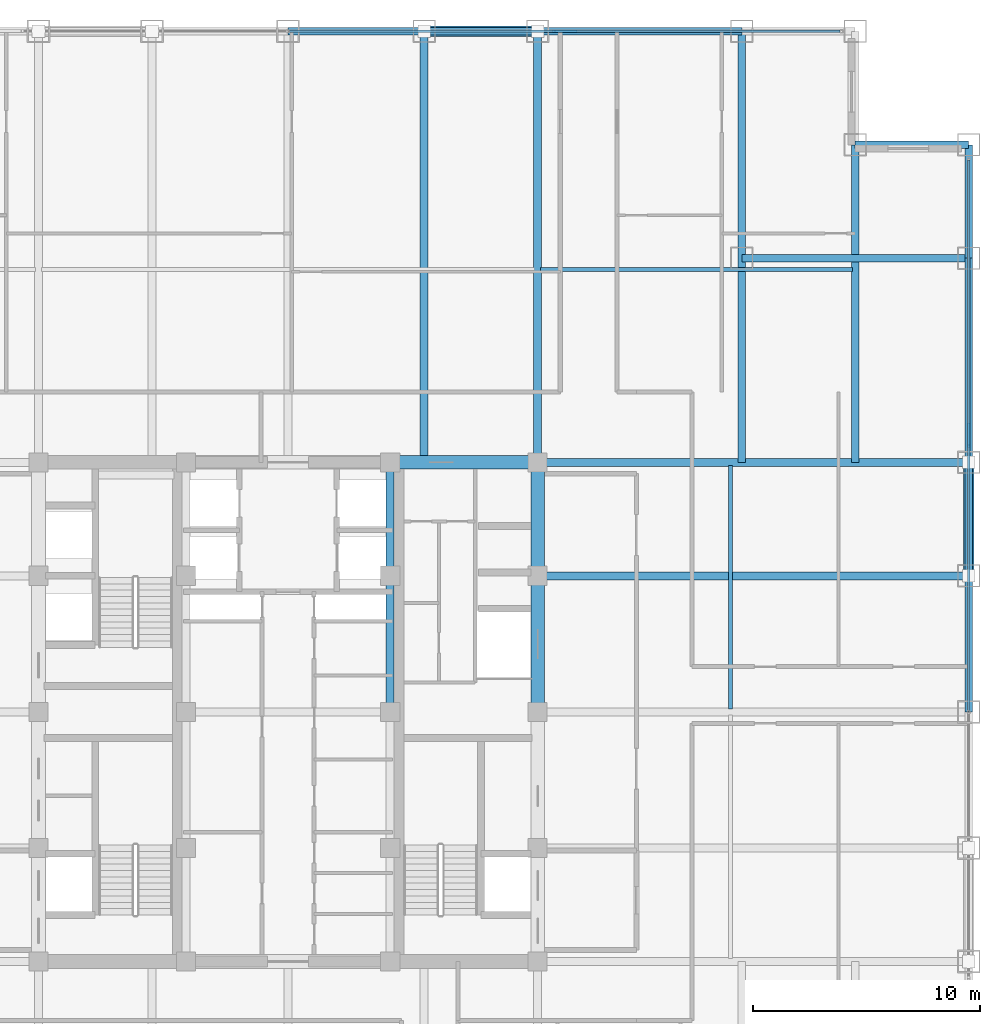
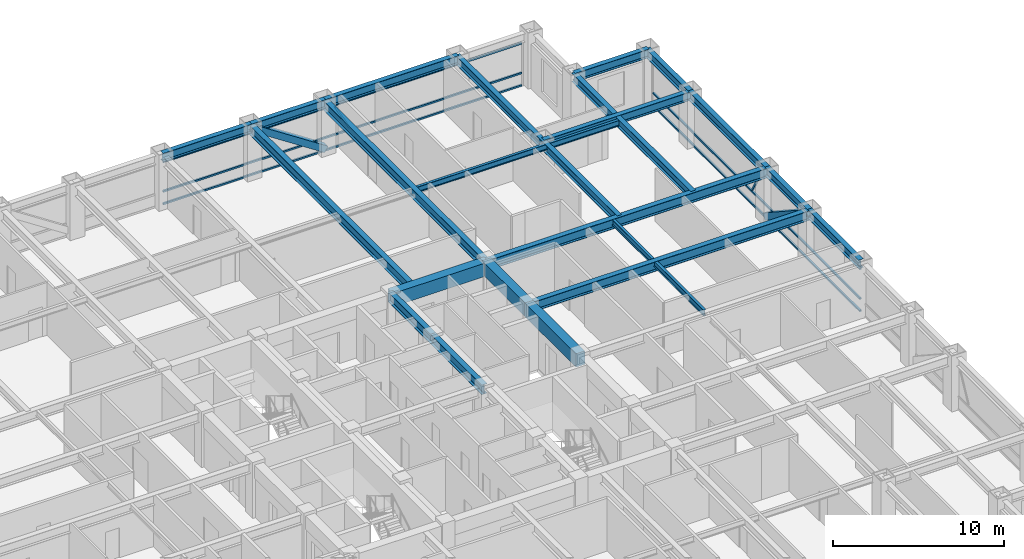
# One storey, part 17 of 25: 22 beams, 10 members, 2 elements without a shape of their own.
"""IFC4 building model written with IfcOpenShell, lengths in metres."""

from ifc_helpers import new_model, si_unit, direction, frame, origin, origin_2d, place, context, subcontext, project, spatial, rectangle, hollow_rectangle, i_section, extrude, source, transform, mapped, material, material_profile, profile_set, type_object, element, aggregate, save


model = new_model("IFC4")

# Units and contexts
model_context = context("Model", 3, precision=1e-05, world=origin(), true_north=direction((0.0, 1.0)))
body_context = subcontext(model_context, "Body", "Model", "MODEL_VIEW")
ifc_project = project(units=[si_unit("LENGTHUNIT", "METRE"), si_unit("AREAUNIT", "SQUARE_METRE"), si_unit("VOLUMEUNIT", "CUBIC_METRE"), si_unit("PLANEANGLEUNIT", "RADIAN"), si_unit("MASSUNIT", "GRAM", prefix="KILO")], contexts=[model_context])

# Site, building, storey
site_placement = place(None, origin())
site = spatial("IfcSite", under=ifc_project, at=site_placement, CompositionType="ELEMENT")
building_placement = place(site_placement, origin())
building = spatial("IfcBuilding", under=site, at=building_placement, Name="Khorayat Bourse Tower", CompositionType="ELEMENT")
storey_placement = place(building_placement, frame((0.0, 0.0, 231.10009765625)))
storey = spatial("IfcBuildingStorey", under=building, at=storey_placement, Name="L54", CompositionType="ELEMENT", Elevation=231.10009765625)

# Beams
ifc_material_1 = material(Name="Steel ASTM A992 Grade 50", Category="steel")
ifc_material_profile_1 = material_profile(ifc_material_1, i_section(OverallWidth=0.35498046875, OverallDepth=0.695068359375, WebThickness=0.015380859375, FlangeThickness=0.02490234375, FilletRadius=0.01806640625, at=origin_2d()), Name="W690X217")
ifc_profile_set_1 = profile_set([ifc_material_profile_1], Name="Steel ASTM A992 Grade 50")
beam_type_1 = type_object("IfcBeamType", Name="BM-GIRD-690", PredefinedType="BEAM", material=ifc_profile_set_1)
shared_shape_1 = source(origin(), body_context, "Body", "SweptSolid", [
    extrude(i_section(OverallWidth=0.35498046875, OverallDepth=0.695068359375, WebThickness=0.015380859375, FlangeThickness=0.02490234375, FilletRadius=0.01806640625, at=origin_2d()), origin(), (0.0, 0.0, 1.0), 5.0),
])
beam_1_placement = place(storey_placement, frame((4.5, 6.0, 3.432373046875), z_axis=(0.0, 1.0, 0.0), x_axis=(-1.0, 0.0, 0.0)))
element("IfcBeam", 1, at=beam_1_placement, inside=storey, type_object=beam_type_1, Name="L54 BM-GIRD-690 BM-L54-CRX-12", PredefinedType="BEAM", context=body_context, shape_type="MappedRepresentation", body=[
    mapped(shared_shape_1, transform((0.0, 0.0, 0.0), scale=1.0)),
])
shared_shape_2 = source(origin(), body_context, "Body", "SweptSolid", [
    extrude(i_section(OverallWidth=0.35498046875, OverallDepth=0.695068359375, WebThickness=0.015380859375, FlangeThickness=0.02490234375, FilletRadius=0.01806640625, at=origin_2d()), origin(), (0.0, 0.0, 1.0), 6.0),
])
beam_2_placement = place(storey_placement, frame((4.5, 0.0, 3.432373046875), z_axis=(0.0, 1.0, 0.0), x_axis=(-1.0, 0.0, 0.0)))
element("IfcBeam", 2, at=beam_2_placement, inside=storey, type_object=beam_type_1, Name="L54 BM-GIRD-690 BM-L54-CRX-11", PredefinedType="BEAM", context=body_context, shape_type="MappedRepresentation", body=[
    mapped(shared_shape_2, transform((0.0, 0.0, 0.0), scale=1.0)),
])
ifc_material_profile_2 = material_profile(ifc_material_1, i_section(OverallWidth=0.324951171875, OverallDepth=0.615966796875, WebThickness=0.013916015625, FlangeThickness=0.021484375, FilletRadius=0.01611328125, at=origin_2d()), Name="W610X174")
ifc_profile_set_2 = profile_set([ifc_material_profile_2], Name="Steel ASTM A992 Grade 50")
beam_type_2 = type_object("IfcBeamType", Name="BM-GIRD-610", PredefinedType="BEAM", material=ifc_profile_set_2)
shared_shape_3 = source(origin(), body_context, "Body", "SweptSolid", [
    extrude(i_section(OverallWidth=0.324951171875, OverallDepth=0.615966796875, WebThickness=0.013916015625, FlangeThickness=0.021484375, FilletRadius=0.01611328125, at=origin_2d()), origin(), (0.0, 0.0, 1.0), 19.0),
])
beam_3_placement = place(storey_placement, frame((20.0, 11.0, 3.471923828125), z_axis=(0.0, 1.0, 0.0), x_axis=(-1.0, 0.0, 0.0)))
element("IfcBeam", 3, at=beam_3_placement, inside=storey, type_object=beam_type_2, Name="L54 BM-GIRD-610 BM-L54-CNRY-087", PredefinedType="BEAM", context=body_context, shape_type="MappedRepresentation", body=[
    mapped(shared_shape_3, transform((0.0, 0.0, 0.0), scale=1.0)),
])
shared_shape_4 = source(origin(), body_context, "Body", "SweptSolid", [
    extrude(i_section(OverallWidth=0.324951171875, OverallDepth=0.615966796875, WebThickness=0.013916015625, FlangeThickness=0.021484375, FilletRadius=0.01611328125, at=origin_2d()), origin(), (0.0, 0.0, 1.0), 10.0),
])
beam_4_placement = place(storey_placement, frame((20.0, 20.0, 3.471923828125), z_axis=(1.0, 0.0, 0.0), x_axis=(0.0, 1.0, 0.0)))
element("IfcBeam", 4, at=beam_4_placement, inside=storey, type_object=beam_type_2, Name="L54 BM-GIRD-610 BM-L54-CNRX-094", PredefinedType="BEAM", context=body_context, shape_type="MappedRepresentation", body=[
    mapped(shared_shape_4, transform((0.0, 0.0, 0.0), scale=1.0)),
])
ifc_material_profile_3 = material_profile(ifc_material_1, i_section(OverallWidth=0.180908203125, OverallDepth=0.4169921875, WebThickness=0.010986328125, FlangeThickness=0.018310546875, FilletRadius=0.011962890625, at=origin_2d()), Name="W410X85")
ifc_profile_set_3 = profile_set([ifc_material_profile_3], Name="Steel ASTM A992 Grade 50")
beam_type_3 = type_object("IfcBeamType", Name="BM-JOIST-410", PredefinedType="JOIST", material=ifc_profile_set_3)
shared_shape_5 = source(origin(), body_context, "Body", "SweptSolid", [
    extrude(i_section(OverallWidth=0.180908203125, OverallDepth=0.4169921875, WebThickness=0.010986328125, FlangeThickness=0.018310546875, FilletRadius=0.011962890625, at=origin_2d()), origin(), (0.0, 0.0, 1.0), 10.740234375),
])
beam_5_placement = place(storey_placement, frame((19.5, 0.1298828125, 3.5712890625), z_axis=(0.0, 1.0, 0.0), x_axis=(-1.0, 0.0, 0.0)))
element("IfcBeam", 5, at=beam_5_placement, inside=storey, type_object=beam_type_3, Name="L54 BM-JOIST-410 BM-L54-JSTY-105", PredefinedType="JOIST", context=body_context, shape_type="MappedRepresentation", body=[
    mapped(shared_shape_5, transform((0.0, 0.0, 0.0), scale=1.0)),
])
ifc_material_profile_4 = material_profile(ifc_material_1, i_section(OverallWidth=0.324951171875, OverallDepth=0.615966796875, WebThickness=0.013916015625, FlangeThickness=0.021484375, FilletRadius=0.01611328125, at=origin_2d()), Name="W610X174")
ifc_profile_set_4 = profile_set([ifc_material_profile_4], Name="Steel ASTM A992 Grade 50")
beam_type_4 = type_object("IfcBeamType", Name="BM-SPAN-610", PredefinedType="SPANDREL", material=ifc_profile_set_4)
shared_shape_6 = source(origin(), body_context, "Body", "SweptSolid", [
    extrude(i_section(OverallWidth=0.324951171875, OverallDepth=0.615966796875, WebThickness=0.013916015625, FlangeThickness=0.021484375, FilletRadius=0.01611328125, at=origin_2d()), origin(), (0.0, 0.0, 1.0), 9.0),
])
for number, where, z_axis, x_axis, name in (
    (6, (30.0, 11.0, 3.471923828125), (0.0, 1.0, 0.0), (-1.0, 0.0, 0.0), "L54 BM-SPAN-610 BM-L54-SPN-040"),
    (7, (11.0, 30.0, 3.471923828125), (1.0, 0.0, 0.0), (0.0, 1.0, 0.0), "L54 BM-SPAN-610 BM-L54-SPN-045"),
):
    element("IfcBeam", number, at=place(storey_placement, frame(where, z_axis=z_axis, x_axis=x_axis)), inside=storey, type_object=beam_type_4, Name=name, PredefinedType="SPANDREL", context=body_context, shape_type="MappedRepresentation", body=[
        mapped(shared_shape_6, transform((0.0, 0.0, 0.0), scale=1.0)),
    ])
shared_shape_7 = source(origin(), body_context, "Body", "SweptSolid", [
    extrude(i_section(OverallWidth=0.324951171875, OverallDepth=0.615966796875, WebThickness=0.013916015625, FlangeThickness=0.021484375, FilletRadius=0.01611328125, at=origin_2d()), origin(), (0.0, 0.0, 1.0), 5.0),
])
for number, where, z_axis, x_axis, name in (
    (8, (30.0, 6.0, 3.471923828125), (0.0, 1.0, 0.0), (-1.0, 0.0, 0.0), "L54 BM-SPAN-610 BM-L54-SPN-039"),
    (9, (30.0, 20.0, 3.471923828125), (0.0, 1.0, 0.0), (-1.0, 0.0, 0.0), "L54 BM-SPAN-610 BM-L54-SPN-041"),
    (10, (25.0, 25.0, 3.471923828125), (1.0, 0.0, 0.0), (0.0, 1.0, 0.0), "L54 BM-SPAN-610 BM-L54-SPN-042"),
    (11, (6.0, 30.0, 3.471923828125), (1.0, 0.0, 0.0), (0.0, 1.0, 0.0), "L54 BM-SPAN-610 BM-L54-SPN-046"),
):
    element("IfcBeam", number, at=place(storey_placement, frame(where, z_axis=z_axis, x_axis=x_axis)), inside=storey, type_object=beam_type_4, Name=name, PredefinedType="SPANDREL", context=body_context, shape_type="MappedRepresentation", body=[
        mapped(shared_shape_7, transform((0.0, 0.0, 0.0), scale=1.0)),
    ])
shared_shape_8 = source(origin(), body_context, "Body", "SweptSolid", [
    extrude(i_section(OverallWidth=0.324951171875, OverallDepth=0.615966796875, WebThickness=0.013916015625, FlangeThickness=0.021484375, FilletRadius=0.01611328125, at=origin_2d()), origin(), (0.0, 0.0, 1.0), 6.0),
])
for number, where, z_axis, x_axis, name in (
    (12, (30.0, 0.0, 3.471923828125), (0.0, 1.0, 0.0), (-1.0, 0.0, 0.0), "L54 BM-SPAN-610 BM-L54-SPN-038"),
    (13, (0.0, 30.0, 3.471923828125), (1.0, 0.0, 0.0), (0.0, 1.0, 0.0), "L54 BM-SPAN-610 BM-L54-SPN-047"),
):
    element("IfcBeam", number, at=place(storey_placement, frame(where, z_axis=z_axis, x_axis=x_axis)), inside=storey, type_object=beam_type_4, Name=name, PredefinedType="SPANDREL", context=body_context, shape_type="MappedRepresentation", body=[
        mapped(shared_shape_8, transform((0.0, 0.0, 0.0), scale=1.0)),
    ])
ifc_material_2 = material(Name="Concrete C60/75", Category="concrete")
ifc_material_profile_5 = material_profile(ifc_material_2, rectangle(XDim=0.60009765625, YDim=0.949951171875, at=origin_2d()), Name="RC 600x950")
ifc_profile_set_5 = profile_set([ifc_material_profile_5], Name="Concrete C60/75")
beam_type_5 = type_object("IfcBeamType", Name="BM-COUP-950", PredefinedType="BEAM", material=ifc_profile_set_5)
shared_shape_9 = source(origin(), body_context, "Body", "SweptSolid", [
    extrude(rectangle(XDim=0.60009765625, YDim=0.949951171875, at=origin_2d()), origin(), (0.0, 0.0, 1.0), 5.0),
])
beam_6_placement = place(storey_placement, frame((11.0, 6.0, 3.304931640625), z_axis=(0.0, 1.0, 0.0), x_axis=(-1.0, 0.0, 0.0)))
element("IfcBeam", 14, at=beam_6_placement, inside=storey, type_object=beam_type_5, Name="L54 BM-COUP-950 BM-L54-CRX-16", PredefinedType="BEAM", context=body_context, shape_type="MappedRepresentation", body=[
    mapped(shared_shape_9, transform((0.0, 0.0, 0.0), scale=1.0)),
])
shared_shape_10 = source(origin(), body_context, "Body", "SweptSolid", [
    extrude(rectangle(XDim=0.60009765625, YDim=0.949951171875, at=origin_2d()), origin(), (0.0, 0.0, 1.0), 6.0),
])
beam_7_placement = place(storey_placement, frame((11.0, 0.0, 3.304931640625), z_axis=(0.0, 1.0, 0.0), x_axis=(-1.0, 0.0, 0.0)))
element("IfcBeam", 15, at=beam_7_placement, inside=storey, type_object=beam_type_5, Name="L54 BM-COUP-950 BM-L54-CRX-15", PredefinedType="BEAM", context=body_context, shape_type="MappedRepresentation", body=[
    mapped(shared_shape_10, transform((0.0, 0.0, 0.0), scale=1.0)),
])
shared_shape_11 = source(origin(), body_context, "Body", "SweptSolid", [
    extrude(rectangle(XDim=0.60009765625, YDim=0.949951171875, at=origin_2d()), origin(), (0.0, 0.0, 1.0), 6.5),
])
beam_8_placement = place(storey_placement, frame((4.5, 11.0, 3.304931640625), z_axis=(1.0, 0.0, 0.0), x_axis=(0.0, 1.0, 0.0)))
element("IfcBeam", 16, at=beam_8_placement, inside=storey, type_object=beam_type_5, Name="L54 BM-COUP-950 BM-L54-CRY-22", PredefinedType="BEAM", context=body_context, shape_type="MappedRepresentation", body=[
    mapped(shared_shape_11, transform((0.0, 0.0, 0.0), scale=1.0)),
])
shared_shape_12 = source(origin(), body_context, "Body", "SweptSolid", [
    extrude(i_section(OverallWidth=0.35498046875, OverallDepth=0.695068359375, WebThickness=0.015380859375, FlangeThickness=0.02490234375, FilletRadius=0.01806640625, at=origin_2d()), origin(), (0.0, 0.0, 1.0), 19.0),
])
for number, where, z_axis, x_axis, name in (
    (17, (6.0, 11.0, 3.432373046875), (0.0, 1.0, 0.0), (-1.0, 0.0, 0.0), "L54 BM-GIRD-690 BM-L54-RADY-070"),
    (18, (11.0, 11.0, 3.432373046875), (0.0, 1.0, 0.0), (-1.0, 0.0, 0.0), "L54 BM-GIRD-690 BM-L54-RADY-072"),
    (19, (11.0, 6.0, 3.432373046875), (1.0, 0.0, 0.0), (0.0, 1.0, 0.0), "L54 BM-GIRD-690 BM-L54-RADX-080"),
    (20, (11.0, 11.0, 3.432373046875), (1.0, 0.0, 0.0), (0.0, 1.0, 0.0), "L54 BM-GIRD-690 BM-L54-RADX-082"),
):
    element("IfcBeam", number, at=place(storey_placement, frame(where, z_axis=z_axis, x_axis=x_axis)), inside=storey, type_object=beam_type_1, Name=name, PredefinedType="BEAM", context=body_context, shape_type="MappedRepresentation", body=[
        mapped(shared_shape_12, transform((0.0, 0.0, 0.0), scale=1.0)),
    ])
shared_shape_13 = source(origin(), body_context, "Body", "SweptSolid", [
    extrude(i_section(OverallWidth=0.324951171875, OverallDepth=0.615966796875, WebThickness=0.013916015625, FlangeThickness=0.021484375, FilletRadius=0.01611328125, at=origin_2d()), origin(), (0.0, 0.0, 1.0), 14.0),
])
beam_9_placement = place(storey_placement, frame((25.0, 11.0, 3.471923828125), z_axis=(0.0, 1.0, 0.0), x_axis=(-1.0, 0.0, 0.0)))
element("IfcBeam", 21, at=beam_9_placement, inside=storey, type_object=beam_type_2, Name="L54 BM-GIRD-610 BM-L54-CNRY-091", PredefinedType="BEAM", context=body_context, shape_type="MappedRepresentation", body=[
    mapped(shared_shape_13, transform((0.0, 0.0, 0.0), scale=1.0)),
])
shared_shape_14 = source(origin(), body_context, "Body", "SweptSolid", [
    extrude(i_section(OverallWidth=0.180908203125, OverallDepth=0.4169921875, WebThickness=0.010986328125, FlangeThickness=0.018310546875, FilletRadius=0.011962890625, at=origin_2d()), origin(), (0.0, 0.0, 1.0), 13.740234375),
])
beam_10_placement = place(storey_placement, frame((11.1298828125, 19.5, 3.5712890625), z_axis=(1.0, 0.0, 0.0), x_axis=(0.0, 1.0, 0.0)))
element("IfcBeam", 22, at=beam_10_placement, inside=storey, type_object=beam_type_3, Name="L54 BM-JOIST-410 BM-L54-JSTX-101", PredefinedType="JOIST", context=body_context, shape_type="MappedRepresentation", body=[
    mapped(shared_shape_14, transform((0.0, 0.0, 0.0), scale=1.0)),
])

# Members
ifc_material_3 = material(Name="Steel EN 10025-4 S460M", Category="steel")
ifc_material_profile_6 = material_profile(ifc_material_3, hollow_rectangle(XDim=0.449951171875, YDim=0.449951171875, WallThickness=0.02490234375, at=origin_2d()), Name="HSS 450x450x25")
ifc_profile_set_6 = profile_set([ifc_material_profile_6], Name="Steel EN 10025-4 S460M")
member_type_1 = type_object("IfcMemberType", Name="MBR-TUBE-450", PredefinedType="BRACE", material=ifc_profile_set_6)
shared_shape_15 = source(origin(), body_context, "Body", "SweptSolid", [
    extrude(hollow_rectangle(XDim=0.449951171875, YDim=0.449951171875, WallThickness=0.02490234375, at=origin_2d()), origin(), (0.0, 0.0, 1.0), 5.979736328125),
])
for number, where, z_axis, x_axis, name in (
    (23, (6.0, 30.0, 3.52978515625), (0.836160261256, 0.0, -0.548485202623), (0.0, 1.0, 0.0), "L54 Perimeter Tube Brace 04"),
    (24, (30.0, 6.0, 3.52978515625), (0.0, 0.836160261256, -0.548485202623), (-1.0, 0.0, 0.0), "L54 Perimeter Tube Brace 08"),
):
    element("IfcMember", number, at=place(storey_placement, frame(where, z_axis=z_axis, x_axis=x_axis)), inside=storey, type_object=member_type_1, Name=name, PredefinedType="BRACE", context=body_context, shape_type="MappedRepresentation", body=[
        mapped(shared_shape_15, transform((0.0, 0.0, 0.0), scale=1.0)),
    ])

# Curtain wall, member
ifc_material_4 = material(Name="Aluminium EN AW-6063 T6", Category="aluminium")
curtain_wall_type = type_object("IfcCurtainWallType", Name="CW-SYS-03", PredefinedType="NOTDEFINED", material=ifc_material_4)
curtain_wall_1_placement = place(storey_placement, origin())
curtain_wall_1 = element("IfcCurtainWall", 25, at=curtain_wall_1_placement, inside=storey, type_object=curtain_wall_type, Name="L54 Curtain Wall CW-L54-N1", PredefinedType="NOTDEFINED")
ifc_material_profile_7 = material_profile(ifc_material_4, hollow_rectangle(XDim=0.1201171875, YDim=0.1201171875, WallThickness=0.0048828125, at=origin_2d()), Name="ALU 120x120x5")
ifc_profile_set_7 = profile_set([ifc_material_profile_7], Name="Aluminium EN AW-6063 T6")
member_type_2 = type_object("IfcMemberType", Name="CWM-DIAG-120", PredefinedType="MULLION", material=ifc_profile_set_7)
shared_shape_16 = source(origin(), body_context, "Body", "SweptSolid", [
    extrude(hollow_rectangle(XDim=0.1201171875, YDim=0.1201171875, WallThickness=0.0048828125, at=origin_2d()), origin(), (0.0, 0.0, 1.0), 2.079345703125),
])
member_1_placement = place(storey_placement, frame((12.67919921875, 30.0, 1.08984375), z_axis=(-0.465760949701, 0.0, 0.884910581773), x_axis=(0.0, -1.0, 0.0)))
member_1 = element("IfcMember", 26, at=member_1_placement, type_object=member_type_2, Name="CW-L54-N1 Faceted Diagonal Mullion 2", PredefinedType="MULLION", context=body_context, shape_type="MappedRepresentation", body=[
    mapped(shared_shape_16, transform((0.0, 0.0, 0.0), scale=1.0)),
])

curtain_wall_2_placement = place(storey_placement, origin())
curtain_wall_2 = element("IfcCurtainWall", 27, at=curtain_wall_2_placement, inside=storey, type_object=curtain_wall_type, Name="L54 Curtain Wall CW-L54-E1", PredefinedType="NOTDEFINED")
member_2_placement = place(storey_placement, frame((30.0, 12.67919921875, 1.08984375), z_axis=(0.0, -0.465760949701, 0.884910581773), x_axis=(1.0, 0.0, 0.0)))
member_2 = element("IfcMember", 28, at=member_2_placement, type_object=member_type_2, Name="CW-L54-E1 Faceted Diagonal Mullion 2", PredefinedType="MULLION", context=body_context, shape_type="MappedRepresentation", body=[
    mapped(shared_shape_16, transform((0.0, 0.0, 0.0), scale=1.0)),
])

# Member
ifc_material_profile_8 = material_profile(ifc_material_4, hollow_rectangle(XDim=0.1201171875, YDim=0.1201171875, WallThickness=0.0048828125, at=origin_2d()), Name="ALU 120x120x5")
ifc_profile_set_8 = profile_set([ifc_material_profile_8], Name="Aluminium EN AW-6063 T6")
member_type_3 = type_object("IfcMemberType", Name="CWT-HORZ-120", PredefinedType="USERDEFINED", material=ifc_profile_set_8)
shared_shape_17 = source(origin(), body_context, "Body", "SweptSolid", [
    extrude(hollow_rectangle(XDim=0.1201171875, YDim=0.1201171875, WallThickness=0.0048828125, at=origin_2d()), origin(), (0.0, 0.0, 1.0), 24.27001953125),
])
member_3_placement = place(storey_placement, frame((0.06005859375, 30.0, 0.059814453125), z_axis=(1.0, 0.0, 0.0), x_axis=(0.0, 1.0, 0.0)))
member_3 = element("IfcMember", 29, at=member_3_placement, type_object=member_type_3, Name="CW-L54-N1 Horizontal Transom 2-1", ObjectType="TRANSOM", PredefinedType="USERDEFINED", context=body_context, shape_type="MappedRepresentation", body=[
    mapped(shared_shape_17, transform((0.0, 0.0, 0.0), scale=1.0)),
])

member_4_placement = place(storey_placement, frame((0.06005859375, 30.0, 0.949951171875), z_axis=(1.0, 0.0, 0.0), x_axis=(0.0, 1.0, 0.0)))
member_4 = element("IfcMember", 30, at=member_4_placement, type_object=member_type_3, Name="CW-L54-N1 Horizontal Transom 2-2", ObjectType="TRANSOM", PredefinedType="USERDEFINED", context=body_context, shape_type="MappedRepresentation", body=[
    mapped(shared_shape_17, transform((0.0, 0.0, 0.0), scale=1.0)),
])

member_5_placement = place(storey_placement, frame((0.06005859375, 30.0, 3.06982421875), z_axis=(1.0, 0.0, 0.0), x_axis=(0.0, 1.0, 0.0)))
member_5 = element("IfcMember", 31, at=member_5_placement, type_object=member_type_3, Name="CW-L54-N1 Horizontal Transom 2-3", ObjectType="TRANSOM", PredefinedType="USERDEFINED", context=body_context, shape_type="MappedRepresentation", body=[
    mapped(shared_shape_17, transform((0.0, 0.0, 0.0), scale=1.0)),
])

aggregate(curtain_wall_1, [member_3, member_4, member_5, member_1])

member_6_placement = place(storey_placement, frame((30.0, 0.06005859375, 0.059814453125), z_axis=(0.0, 1.0, 0.0), x_axis=(-1.0, 0.0, 0.0)))
member_6 = element("IfcMember", 32, at=member_6_placement, type_object=member_type_3, Name="CW-L54-E1 Horizontal Transom 2-1", ObjectType="TRANSOM", PredefinedType="USERDEFINED", context=body_context, shape_type="MappedRepresentation", body=[
    mapped(shared_shape_17, transform((0.0, 0.0, 0.0), scale=1.0)),
])

member_7_placement = place(storey_placement, frame((30.0, 0.06005859375, 0.949951171875), z_axis=(0.0, 1.0, 0.0), x_axis=(-1.0, 0.0, 0.0)))
member_7 = element("IfcMember", 33, at=member_7_placement, type_object=member_type_3, Name="CW-L54-E1 Horizontal Transom 2-2", ObjectType="TRANSOM", PredefinedType="USERDEFINED", context=body_context, shape_type="MappedRepresentation", body=[
    mapped(shared_shape_17, transform((0.0, 0.0, 0.0), scale=1.0)),
])

member_8_placement = place(storey_placement, frame((30.0, 0.06005859375, 3.06982421875), z_axis=(0.0, 1.0, 0.0), x_axis=(-1.0, 0.0, 0.0)))
member_8 = element("IfcMember", 34, at=member_8_placement, type_object=member_type_3, Name="CW-L54-E1 Horizontal Transom 2-3", ObjectType="TRANSOM", PredefinedType="USERDEFINED", context=body_context, shape_type="MappedRepresentation", body=[
    mapped(shared_shape_17, transform((0.0, 0.0, 0.0), scale=1.0)),
])

aggregate(curtain_wall_2, [member_6, member_7, member_8, member_2])

save(model, "model.ifc")
